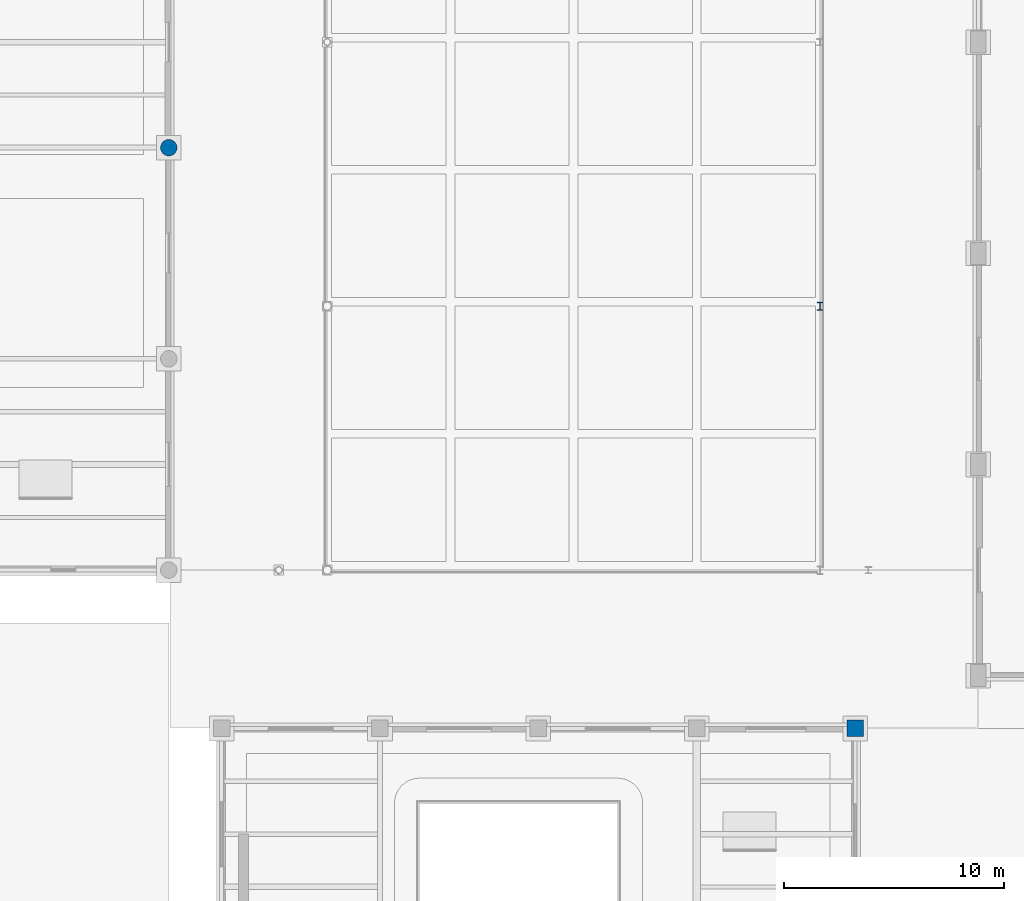
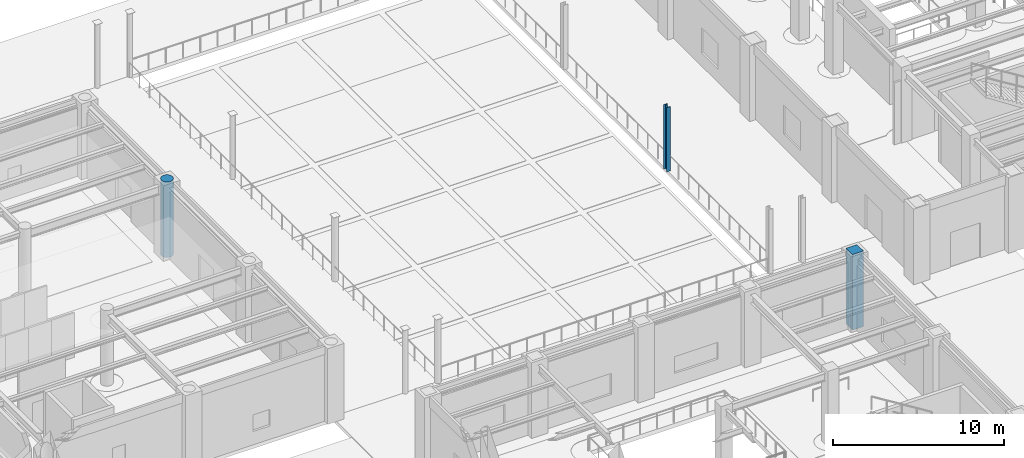
# One storey, part 9 of 164: 3 columns.
"""IFC4 building model written with IfcOpenShell, lengths in metres."""

from ifc_helpers import new_model, si_unit, direction, frame, origin, origin_2d, place, context, subcontext, project, spatial, rectangle, circle, i_section, extrude, material, material_profile, profile_set, type_object, element, save


model = new_model("IFC4")

# Units and contexts
model_context = context("Model", 3, precision=1e-05, world=origin(), true_north=direction((0.0, 1.0)))
body_context = subcontext(model_context, "Body", "Model", "MODEL_VIEW")
ifc_project = project(units=[si_unit("LENGTHUNIT", "METRE"), si_unit("AREAUNIT", "SQUARE_METRE"), si_unit("VOLUMEUNIT", "CUBIC_METRE"), si_unit("PLANEANGLEUNIT", "RADIAN"), si_unit("MASSUNIT", "GRAM", prefix="KILO")], contexts=[model_context])

# Site, building, storey
site_placement = place(None, origin())
site = spatial("IfcSite", under=ifc_project, at=site_placement, CompositionType="ELEMENT")
building_placement = place(site_placement, origin())
building = spatial("IfcBuilding", under=site, at=building_placement, Name="Mavantir Sound Aquarium", CompositionType="ELEMENT")
storey_placement = place(building_placement, origin())
storey = spatial("IfcBuildingStorey", under=building, at=storey_placement, Name="L00", CompositionType="ELEMENT", Elevation=0.0)

# Columns
ifc_material_1 = material(Name="Concrete C40/50", Category="concrete")
ifc_material_profile_1 = material_profile(ifc_material_1, rectangle(XDim=0.75, YDim=0.75, at=origin_2d()), Name="RC 750X750")
ifc_profile_set_1 = profile_set([ifc_material_profile_1], Name="Concrete C40/50")
column_type_1 = type_object("IfcColumnType", Name="COL-RC750-I", PredefinedType="COLUMN", material=ifc_profile_set_1)
column_1_placement = place(storey_placement, frame((96.0, 33.60009765625, 0.0), z_axis=(0.0, 0.0, 1.0), x_axis=(1.0, 0.0, 0.0)))
element("IfcColumn", 1, at=column_1_placement, inside=storey, type_object=column_type_1, Name="L00 column RC-C75 (V7)", PredefinedType="COLUMN", context=body_context, shape_type="SweptSolid", body=[
    extrude(rectangle(XDim=0.75, YDim=0.75, at=origin_2d()), origin(), (0.0, 0.0, 1.0), 5.39990234375),
])
ifc_material_profile_2 = material_profile(ifc_material_1, circle(Radius=0.375, at=origin_2d()), Name="RC D750")
ifc_profile_set_2 = profile_set([ifc_material_profile_2], Name="Concrete C40/50")
column_type_2 = type_object("IfcColumnType", Name="COL-RCD750-I", PredefinedType="COLUMN", material=ifc_profile_set_2)
column_2_placement = place(storey_placement, frame((64.800048828125, 60.0, 0.0), z_axis=(0.0, 0.0, 1.0), x_axis=(1.0, 0.0, 0.0)))
element("IfcColumn", 2, at=column_2_placement, inside=storey, type_object=column_type_2, Name="L00 column RC-CD75 (V2)", PredefinedType="COLUMN", context=body_context, shape_type="SweptSolid", body=[
    extrude(circle(Radius=0.375, at=origin_2d()), origin(), (0.0, 0.0, 1.0), 5.39990234375),
])
ifc_material_2 = material(Name="Structural Steel ASTM A992 Gr50", Category="steel")
ifc_material_profile_3 = material_profile(ifc_material_2, i_section(OverallWidth=0.257080078125, OverallDepth=0.363037109375, WebThickness=0.012939453125, FlangeThickness=0.021728515625, FilletRadius=0.014892578125, at=origin_2d()), Name="W360X122")
ifc_profile_set_3 = profile_set([ifc_material_profile_3], Name="Structural Steel ASTM A992 Gr50")
column_type_3 = type_object("IfcColumnType", Name="COL-W360X122-E", PredefinedType="COLUMN", material=ifc_profile_set_3)
column_3_placement = place(storey_placement, frame((94.39990234375, 52.800048828125, 0.0), z_axis=(0.0, 0.0, 1.0), x_axis=(1.0, 0.0, 0.0)))
element("IfcColumn", 3, at=column_3_placement, inside=storey, type_object=column_type_3, Name="Tidal water court colonnade pier 8", PredefinedType="COLUMN", context=body_context, shape_type="SweptSolid", body=[
    extrude(i_section(OverallWidth=0.257080078125, OverallDepth=0.363037109375, WebThickness=0.012939453125, FlangeThickness=0.021728515625, FilletRadius=0.014892578125, at=origin_2d()), origin(), (0.0, 0.0, 1.0), 4.60009765625),
])

save(model, "model.ifc")
